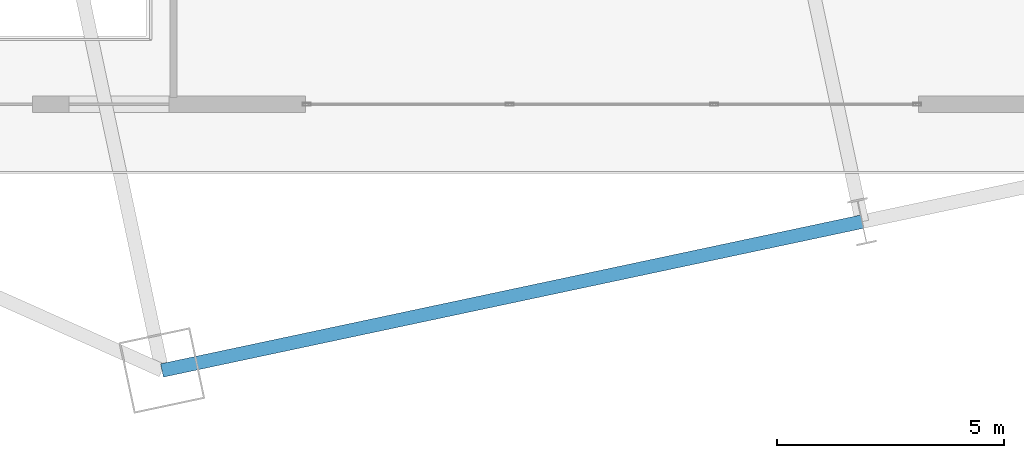
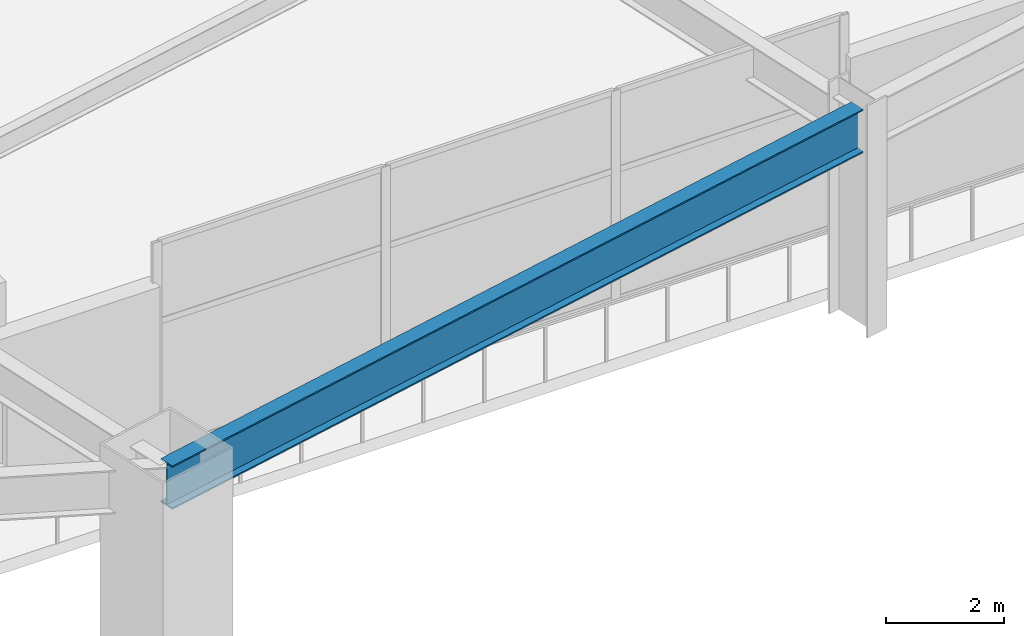
# One storey, part 11 of 35: 1 beam.
"""IFC4 building model written with IfcOpenShell, lengths in metres."""

from ifc_helpers import new_model, si_unit, direction, frame, origin, origin_2d, place, context, subcontext, project, spatial, i_section, extrude, material, material_profile, profile_set, type_object, element, save


model = new_model("IFC4")

# Units and contexts
model_context = context("Model", 3, precision=1e-05, world=origin(), true_north=direction((0.0, 1.0)))
body_context = subcontext(model_context, "Body", "Model", "MODEL_VIEW")
ifc_project = project(units=[si_unit("LENGTHUNIT", "METRE"), si_unit("AREAUNIT", "SQUARE_METRE"), si_unit("VOLUMEUNIT", "CUBIC_METRE"), si_unit("PLANEANGLEUNIT", "RADIAN"), si_unit("MASSUNIT", "GRAM", prefix="KILO")], contexts=[model_context])

# Site, building, storey
site_placement = place(None, origin())
site = spatial("IfcSite", under=ifc_project, at=site_placement, CompositionType="ELEMENT")
building_placement = place(site_placement, origin())
building = spatial("IfcBuilding", under=site, at=building_placement, Name="Haevon Station Towers", CompositionType="ELEMENT")
storey_placement = place(building_placement, frame((0.0, 0.0, 20.39990234375)))
storey = spatial("IfcBuildingStorey", under=building, at=storey_placement, Name="L04", CompositionType="ELEMENT", Elevation=20.39990234375)

# Beam
ifc_material = material(Name="Steel S355", Category="steel")
ifc_material_profile = material_profile(ifc_material, i_section(OverallWidth=0.300048828125, OverallDepth=0.89990234375, WebThickness=0.01611328125, FlangeThickness=0.028076171875, at=origin_2d()), Name="H-900x300x16x28")
ifc_profile_set = profile_set([ifc_material_profile], Name="Steel S355")
beam_type = type_object("IfcBeamType", Name="BM-PG900", PredefinedType="BEAM", material=ifc_profile_set)
beam_placement = place(storey_placement, frame((88.346923828125, 10.643310546875, 4.0), z_axis=(0.978146794194, 0.207915485254, 0.0), x_axis=(-0.207915485254, 0.978146794194, 0.0)))
element("IfcBeam", 1, at=beam_placement, inside=storey, type_object=beam_type, Name="BM-T2U-L04-01-01", PredefinedType="BEAM", context=body_context, shape_type="SweptSolid", body=[
    extrude(i_section(OverallWidth=0.300048828125, OverallDepth=0.89990234375, WebThickness=0.01611328125, FlangeThickness=0.028076171875, at=origin_2d()), origin(), (0.0, 0.0, 1.0), 15.75),
])

save(model, "model.ifc")
